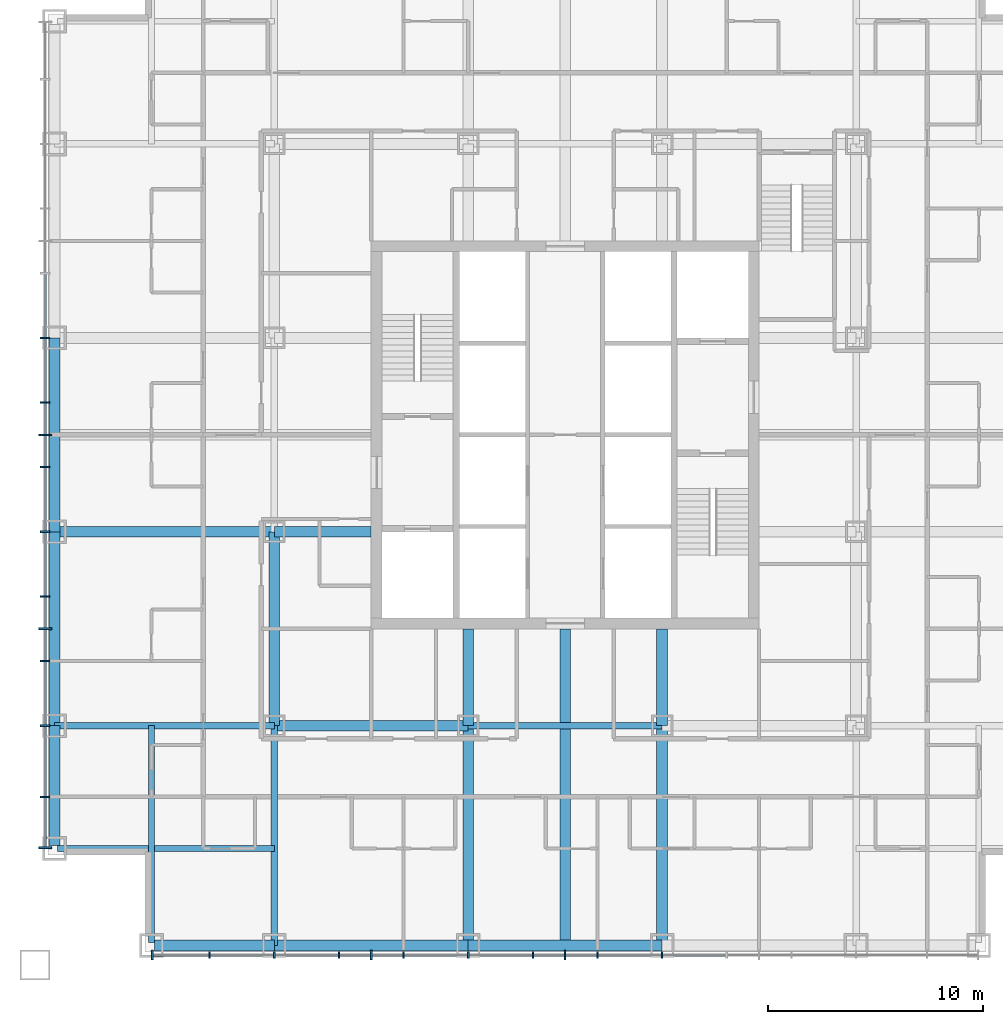
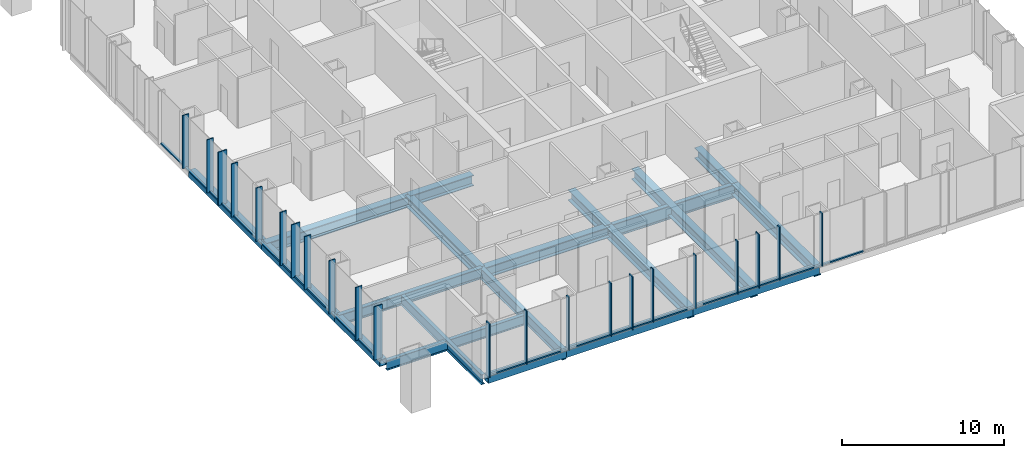
# One storey, part 2 of 12: 44 members, 20 beams, 2 elements without a shape of their own.
"""IFC4 building model written with IfcOpenShell, lengths in metres."""

from ifc_helpers import new_model, si_unit, direction, frame, origin, origin_2d, place, context, subcontext, project, spatial, rectangle, hollow_rectangle, i_section, extrude, material, layer, layer_set, material_profile, profile_set, type_object, element, aggregate, save


model = new_model("IFC4")

# Units and contexts
model_context = context("Model", 3, precision=1e-05, world=origin(), true_north=direction((0.0, 1.0)))
body_context = subcontext(model_context, "Body", "Model", "MODEL_VIEW")
ifc_project = project(units=[si_unit("LENGTHUNIT", "METRE"), si_unit("AREAUNIT", "SQUARE_METRE"), si_unit("VOLUMEUNIT", "CUBIC_METRE"), si_unit("PLANEANGLEUNIT", "RADIAN"), si_unit("MASSUNIT", "GRAM", prefix="KILO")], contexts=[model_context])

# Site, building, storey
site_placement = place(None, origin())
site = spatial("IfcSite", under=ifc_project, at=site_placement, CompositionType="ELEMENT")
building_placement = place(site_placement, origin())
building = spatial("IfcBuilding", under=site, at=building_placement, Name="Malebo Sky Hospital", CompositionType="ELEMENT")
storey_placement = place(building_placement, frame((0.0, 0.0, 136.0)))
storey = spatial("IfcBuildingStorey", under=building, at=storey_placement, Name="L32", CompositionType="ELEMENT", Elevation=136.0)

# Curtain wall, members
ifc_material_1 = material(Name="Anodised aluminium, natural silver", Category="aluminium")
ifc_layer_1 = layer(ifc_material_1, 0.25)
ifc_layer_set_1 = layer_set([ifc_layer_1], Name="WARD CURTAIN WALL EAST AND WEST")
curtain_wall_type_1 = type_object("IfcCurtainWallType", Name="WARD CURTAIN WALL EAST AND WEST", PredefinedType="NOTDEFINED", material=ifc_layer_set_1)
curtain_wall_1_placement = place(storey_placement, origin())
curtain_wall_1 = element("IfcCurtainWall", 1, at=curtain_wall_1_placement, inside=storey, type_object=curtain_wall_type_1, Name="EW curtain wall W", PredefinedType="NOTDEFINED")
ifc_material_profile_1 = material_profile(ifc_material_1, rectangle(XDim=0.14990234375, YDim=0.10009765625, at=origin_2d()), Name="ALUMINIUM TRANSOM 150x100")
ifc_profile_set_1 = profile_set([ifc_material_profile_1], Name="Anodised aluminium, natural silver")
member_type_1 = type_object("IfcMemberType", Name="ALUMINIUM TRANSOM 150x100", PredefinedType="USERDEFINED", material=ifc_profile_set_1)
member_1_placement = place(storey_placement, frame((35.864990234375, 42.875, 0.050048828125), z_axis=(0.0, 1.0, 0.0), x_axis=(-1.0, 0.0, 0.0)))
member_1 = element("IfcMember", 2, at=member_1_placement, type_object=member_type_1, Name="Transom 1", ObjectType="TRANSOM", PredefinedType="USERDEFINED", context=body_context, shape_type="SweptSolid", body=[
    extrude(rectangle(XDim=0.14990234375, YDim=0.10009765625, at=origin_2d()), origin(), (0.0, 0.0, 1.0), 2.28759765625),
])
member_2_placement = place(storey_placement, frame((35.864990234375, 45.237548828125, 0.050048828125), z_axis=(0.0, 1.0, 0.0), x_axis=(-1.0, 0.0, 0.0)))
member_2 = element("IfcMember", 3, at=member_2_placement, type_object=member_type_1, Name="Transom 2", ObjectType="TRANSOM", PredefinedType="USERDEFINED", context=body_context, shape_type="SweptSolid", body=[
    extrude(rectangle(XDim=0.14990234375, YDim=0.10009765625, at=origin_2d()), origin(), (0.0, 0.0, 1.0), 3.224853515625),
])
member_3_placement = place(storey_placement, frame((35.864990234375, 48.53759765625, 0.050048828125), z_axis=(0.0, 1.0, 0.0), x_axis=(-1.0, 0.0, 0.0)))
member_3 = element("IfcMember", 4, at=member_3_placement, type_object=member_type_1, Name="Transom 3", ObjectType="TRANSOM", PredefinedType="USERDEFINED", context=body_context, shape_type="SweptSolid", body=[
    extrude(rectangle(XDim=0.14990234375, YDim=0.10009765625, at=origin_2d()), origin(), (0.0, 0.0, 1.0), 2.9248046875),
])
member_4_placement = place(storey_placement, frame((35.864990234375, 51.53759765625, 0.050048828125), z_axis=(0.0, 1.0, 0.0), x_axis=(-1.0, 0.0, 0.0)))
member_4 = element("IfcMember", 5, at=member_4_placement, type_object=member_type_1, Name="Transom 4", ObjectType="TRANSOM", PredefinedType="USERDEFINED", context=body_context, shape_type="SweptSolid", body=[
    extrude(rectangle(XDim=0.14990234375, YDim=0.10009765625, at=origin_2d()), origin(), (0.0, 0.0, 1.0), 1.4248046875),
])
member_5_placement = place(storey_placement, frame((35.864990234375, 53.03759765625, 0.050048828125), z_axis=(0.0, 1.0, 0.0), x_axis=(-1.0, 0.0, 0.0)))
member_5 = element("IfcMember", 6, at=member_5_placement, type_object=member_type_1, Name="Transom 5", ObjectType="TRANSOM", PredefinedType="USERDEFINED", context=body_context, shape_type="SweptSolid", body=[
    extrude(rectangle(XDim=0.14990234375, YDim=0.10009765625, at=origin_2d()), origin(), (0.0, 0.0, 1.0), 1.4248046875),
])
member_6_placement = place(storey_placement, frame((35.864990234375, 54.53759765625, 0.050048828125), z_axis=(0.0, 1.0, 0.0), x_axis=(-1.0, 0.0, 0.0)))
member_6 = element("IfcMember", 7, at=member_6_placement, type_object=member_type_1, Name="Transom 6", ObjectType="TRANSOM", PredefinedType="USERDEFINED", context=body_context, shape_type="SweptSolid", body=[
    extrude(rectangle(XDim=0.14990234375, YDim=0.10009765625, at=origin_2d()), origin(), (0.0, 0.0, 1.0), 2.9248046875),
])
member_7_placement = place(storey_placement, frame((35.864990234375, 57.53759765625, 0.050048828125), z_axis=(0.0, 1.0, 0.0), x_axis=(-1.0, 0.0, 0.0)))
member_7 = element("IfcMember", 8, at=member_7_placement, type_object=member_type_1, Name="Transom 7", ObjectType="TRANSOM", PredefinedType="USERDEFINED", context=body_context, shape_type="SweptSolid", body=[
    extrude(rectangle(XDim=0.14990234375, YDim=0.10009765625, at=origin_2d()), origin(), (0.0, 0.0, 1.0), 2.9248046875),
])
member_8_placement = place(storey_placement, frame((35.864990234375, 60.53759765625, 0.050048828125), z_axis=(0.0, 1.0, 0.0), x_axis=(-1.0, 0.0, 0.0)))
member_8 = element("IfcMember", 9, at=member_8_placement, type_object=member_type_1, Name="Transom 8", ObjectType="TRANSOM", PredefinedType="USERDEFINED", context=body_context, shape_type="SweptSolid", body=[
    extrude(rectangle(XDim=0.14990234375, YDim=0.10009765625, at=origin_2d()), origin(), (0.0, 0.0, 1.0), 1.4248046875),
])
member_9_placement = place(storey_placement, frame((35.864990234375, 62.03759765625, 0.050048828125), z_axis=(0.0, 1.0, 0.0), x_axis=(-1.0, 0.0, 0.0)))
member_9 = element("IfcMember", 10, at=member_9_placement, type_object=member_type_1, Name="Transom 9", ObjectType="TRANSOM", PredefinedType="USERDEFINED", context=body_context, shape_type="SweptSolid", body=[
    extrude(rectangle(XDim=0.14990234375, YDim=0.10009765625, at=origin_2d()), origin(), (0.0, 0.0, 1.0), 1.4248046875),
])
member_10_placement = place(storey_placement, frame((35.864990234375, 63.53759765625, 0.050048828125), z_axis=(0.0, 1.0, 0.0), x_axis=(-1.0, 0.0, 0.0)))
member_10 = element("IfcMember", 11, at=member_10_placement, type_object=member_type_1, Name="Transom 10", ObjectType="TRANSOM", PredefinedType="USERDEFINED", context=body_context, shape_type="SweptSolid", body=[
    extrude(rectangle(XDim=0.14990234375, YDim=0.10009765625, at=origin_2d()), origin(), (0.0, 0.0, 1.0), 2.9248046875),
])
member_11_placement = place(storey_placement, frame((35.864990234375, 66.53759765625, 0.050048828125), z_axis=(0.0, 1.0, 0.0), x_axis=(-1.0, 0.0, 0.0)))
member_11 = element("IfcMember", 12, at=member_11_placement, type_object=member_type_1, Name="Transom 11", ObjectType="TRANSOM", PredefinedType="USERDEFINED", context=body_context, shape_type="SweptSolid", body=[
    extrude(rectangle(XDim=0.14990234375, YDim=0.10009765625, at=origin_2d()), origin(), (0.0, 0.0, 1.0), 2.9248046875),
])

ifc_layer_2 = layer(ifc_material_1, 0.25)
ifc_layer_set_2 = layer_set([ifc_layer_2], Name="WARD CURTAIN WALL NORTH AND SOUTH")
curtain_wall_type_2 = type_object("IfcCurtainWallType", Name="WARD CURTAIN WALL NORTH AND SOUTH", PredefinedType="NOTDEFINED", material=ifc_layer_set_2)
curtain_wall_2_placement = place(storey_placement, origin())
curtain_wall_2 = element("IfcCurtainWall", 13, at=curtain_wall_2_placement, inside=storey, type_object=curtain_wall_type_2, Name="NS curtain wall S", PredefinedType="NOTDEFINED")
member_12_placement = place(storey_placement, frame((67.46240234375, 37.864990234375, 0.050048828125), z_axis=(-1.0, 0.0, 0.0), x_axis=(0.0, -1.0, 0.0)))
member_12 = element("IfcMember", 14, at=member_12_placement, type_object=member_type_1, Name="Transom 6", ObjectType="TRANSOM", PredefinedType="USERDEFINED", context=body_context, shape_type="SweptSolid", body=[
    extrude(rectangle(XDim=0.14990234375, YDim=0.10009765625, at=origin_2d()), origin(), (0.0, 0.0, 1.0), 2.9248046875),
])
member_13_placement = place(storey_placement, frame((64.46240234375, 37.864990234375, 0.050048828125), z_axis=(-1.0, 0.0, 0.0), x_axis=(0.0, -1.0, 0.0)))
member_13 = element("IfcMember", 15, at=member_13_placement, type_object=member_type_1, Name="Transom 7", ObjectType="TRANSOM", PredefinedType="USERDEFINED", context=body_context, shape_type="SweptSolid", body=[
    extrude(rectangle(XDim=0.14990234375, YDim=0.10009765625, at=origin_2d()), origin(), (0.0, 0.0, 1.0), 2.9248046875),
])
member_14_placement = place(storey_placement, frame((61.46240234375, 37.864990234375, 0.050048828125), z_axis=(-1.0, 0.0, 0.0), x_axis=(0.0, -1.0, 0.0)))
member_14 = element("IfcMember", 16, at=member_14_placement, type_object=member_type_1, Name="Transom 8", ObjectType="TRANSOM", PredefinedType="USERDEFINED", context=body_context, shape_type="SweptSolid", body=[
    extrude(rectangle(XDim=0.14990234375, YDim=0.10009765625, at=origin_2d()), origin(), (0.0, 0.0, 1.0), 1.4248046875),
])
member_15_placement = place(storey_placement, frame((59.96240234375, 37.864990234375, 0.050048828125), z_axis=(-1.0, 0.0, 0.0), x_axis=(0.0, -1.0, 0.0)))
member_15 = element("IfcMember", 17, at=member_15_placement, type_object=member_type_1, Name="Transom 9", ObjectType="TRANSOM", PredefinedType="USERDEFINED", context=body_context, shape_type="SweptSolid", body=[
    extrude(rectangle(XDim=0.14990234375, YDim=0.10009765625, at=origin_2d()), origin(), (0.0, 0.0, 1.0), 1.4248046875),
])
member_16_placement = place(storey_placement, frame((58.46240234375, 37.864990234375, 0.050048828125), z_axis=(-1.0, 0.0, 0.0), x_axis=(0.0, -1.0, 0.0)))
member_16 = element("IfcMember", 18, at=member_16_placement, type_object=member_type_1, Name="Transom 10", ObjectType="TRANSOM", PredefinedType="USERDEFINED", context=body_context, shape_type="SweptSolid", body=[
    extrude(rectangle(XDim=0.14990234375, YDim=0.10009765625, at=origin_2d()), origin(), (0.0, 0.0, 1.0), 2.9248046875),
])
member_17_placement = place(storey_placement, frame((55.46240234375, 37.864990234375, 0.050048828125), z_axis=(-1.0, 0.0, 0.0), x_axis=(0.0, -1.0, 0.0)))
member_17 = element("IfcMember", 19, at=member_17_placement, type_object=member_type_1, Name="Transom 11", ObjectType="TRANSOM", PredefinedType="USERDEFINED", context=body_context, shape_type="SweptSolid", body=[
    extrude(rectangle(XDim=0.14990234375, YDim=0.10009765625, at=origin_2d()), origin(), (0.0, 0.0, 1.0), 2.9248046875),
])
member_18_placement = place(storey_placement, frame((52.46240234375, 37.864990234375, 0.050048828125), z_axis=(-1.0, 0.0, 0.0), x_axis=(0.0, -1.0, 0.0)))
member_18 = element("IfcMember", 20, at=member_18_placement, type_object=member_type_1, Name="Transom 12", ObjectType="TRANSOM", PredefinedType="USERDEFINED", context=body_context, shape_type="SweptSolid", body=[
    extrude(rectangle(XDim=0.14990234375, YDim=0.10009765625, at=origin_2d()), origin(), (0.0, 0.0, 1.0), 1.4248046875),
])
member_19_placement = place(storey_placement, frame((50.96240234375, 37.864990234375, 0.050048828125), z_axis=(-1.0, 0.0, 0.0), x_axis=(0.0, -1.0, 0.0)))
member_19 = element("IfcMember", 21, at=member_19_placement, type_object=member_type_1, Name="Transom 13", ObjectType="TRANSOM", PredefinedType="USERDEFINED", context=body_context, shape_type="SweptSolid", body=[
    extrude(rectangle(XDim=0.14990234375, YDim=0.10009765625, at=origin_2d()), origin(), (0.0, 0.0, 1.0), 1.4248046875),
])
member_20_placement = place(storey_placement, frame((49.46240234375, 37.864990234375, 0.050048828125), z_axis=(-1.0, 0.0, 0.0), x_axis=(0.0, -1.0, 0.0)))
member_20 = element("IfcMember", 22, at=member_20_placement, type_object=member_type_1, Name="Transom 14", ObjectType="TRANSOM", PredefinedType="USERDEFINED", context=body_context, shape_type="SweptSolid", body=[
    extrude(rectangle(XDim=0.14990234375, YDim=0.10009765625, at=origin_2d()), origin(), (0.0, 0.0, 1.0), 2.9248046875),
])
member_21_placement = place(storey_placement, frame((46.46240234375, 37.864990234375, 0.050048828125), z_axis=(-1.0, 0.0, 0.0), x_axis=(0.0, -1.0, 0.0)))
member_21 = element("IfcMember", 23, at=member_21_placement, type_object=member_type_1, Name="Transom 15", ObjectType="TRANSOM", PredefinedType="USERDEFINED", context=body_context, shape_type="SweptSolid", body=[
    extrude(rectangle(XDim=0.14990234375, YDim=0.10009765625, at=origin_2d()), origin(), (0.0, 0.0, 1.0), 2.9248046875),
])
member_22_placement = place(storey_placement, frame((43.46240234375, 37.864990234375, 0.050048828125), z_axis=(-1.0, 0.0, 0.0), x_axis=(0.0, -1.0, 0.0)))
member_22 = element("IfcMember", 24, at=member_22_placement, type_object=member_type_1, Name="Transom 16", ObjectType="TRANSOM", PredefinedType="USERDEFINED", context=body_context, shape_type="SweptSolid", body=[
    extrude(rectangle(XDim=0.14990234375, YDim=0.10009765625, at=origin_2d()), origin(), (0.0, 0.0, 1.0), 2.58740234375),
])
ifc_material_profile_2 = material_profile(ifc_material_1, rectangle(XDim=0.074951171875, YDim=0.300048828125, at=origin_2d()), Name="CW1 ALUMINIUM FIN MULLION 75x300")
ifc_profile_set_2 = profile_set([ifc_material_profile_2], Name="Anodised aluminium, natural silver")
member_type_2 = type_object("IfcMemberType", Name="CW1 ALUMINIUM FIN MULLION 75x300", PredefinedType="MULLION", material=ifc_profile_set_2)
member_23_placement = place(storey_placement, frame((64.5, 37.864990234375, 0.0), z_axis=(0.0, 0.0, 1.0), x_axis=(-1.0, 0.0, 0.0)))
member_23 = element("IfcMember", 25, at=member_23_placement, type_object=member_type_2, Name="Fin mullion 7", PredefinedType="MULLION", context=body_context, shape_type="SweptSolid", body=[
    extrude(rectangle(XDim=0.074951171875, YDim=0.300048828125, at=origin_2d()), origin(), (0.0, 0.0, 1.0), 4.0),
])
member_24_placement = place(storey_placement, frame((61.5, 37.864990234375, 0.0), z_axis=(0.0, 0.0, 1.0), x_axis=(-1.0, 0.0, 0.0)))
member_24 = element("IfcMember", 26, at=member_24_placement, type_object=member_type_2, Name="Fin mullion 8", PredefinedType="MULLION", context=body_context, shape_type="SweptSolid", body=[
    extrude(rectangle(XDim=0.074951171875, YDim=0.300048828125, at=origin_2d()), origin(), (0.0, 0.0, 1.0), 4.0),
])
member_25_placement = place(storey_placement, frame((58.5, 37.864990234375, 0.0), z_axis=(0.0, 0.0, 1.0), x_axis=(-1.0, 0.0, 0.0)))
member_25 = element("IfcMember", 27, at=member_25_placement, type_object=member_type_2, Name="Fin mullion 10", PredefinedType="MULLION", context=body_context, shape_type="SweptSolid", body=[
    extrude(rectangle(XDim=0.074951171875, YDim=0.300048828125, at=origin_2d()), origin(), (0.0, 0.0, 1.0), 4.0),
])
member_26_placement = place(storey_placement, frame((55.5, 37.864990234375, 0.0), z_axis=(0.0, 0.0, 1.0), x_axis=(-1.0, 0.0, 0.0)))
member_26 = element("IfcMember", 28, at=member_26_placement, type_object=member_type_2, Name="Fin mullion 11", PredefinedType="MULLION", context=body_context, shape_type="SweptSolid", body=[
    extrude(rectangle(XDim=0.074951171875, YDim=0.300048828125, at=origin_2d()), origin(), (0.0, 0.0, 1.0), 4.0),
])
member_27_placement = place(storey_placement, frame((52.5, 37.864990234375, 0.0), z_axis=(0.0, 0.0, 1.0), x_axis=(-1.0, 0.0, 0.0)))
member_27 = element("IfcMember", 29, at=member_27_placement, type_object=member_type_2, Name="Fin mullion 12", PredefinedType="MULLION", context=body_context, shape_type="SweptSolid", body=[
    extrude(rectangle(XDim=0.074951171875, YDim=0.300048828125, at=origin_2d()), origin(), (0.0, 0.0, 1.0), 4.0),
])
member_28_placement = place(storey_placement, frame((49.5, 37.864990234375, 0.0), z_axis=(0.0, 0.0, 1.0), x_axis=(-1.0, 0.0, 0.0)))
member_28 = element("IfcMember", 30, at=member_28_placement, type_object=member_type_2, Name="Fin mullion 14", PredefinedType="MULLION", context=body_context, shape_type="SweptSolid", body=[
    extrude(rectangle(XDim=0.074951171875, YDim=0.300048828125, at=origin_2d()), origin(), (0.0, 0.0, 1.0), 4.0),
])
member_29_placement = place(storey_placement, frame((46.5, 37.864990234375, 0.0), z_axis=(0.0, 0.0, 1.0), x_axis=(-1.0, 0.0, 0.0)))
member_29 = element("IfcMember", 31, at=member_29_placement, type_object=member_type_2, Name="Fin mullion 15", PredefinedType="MULLION", context=body_context, shape_type="SweptSolid", body=[
    extrude(rectangle(XDim=0.074951171875, YDim=0.300048828125, at=origin_2d()), origin(), (0.0, 0.0, 1.0), 4.0),
])
member_30_placement = place(storey_placement, frame((43.5, 37.864990234375, 0.0), z_axis=(0.0, 0.0, 1.0), x_axis=(-1.0, 0.0, 0.0)))
member_30 = element("IfcMember", 32, at=member_30_placement, type_object=member_type_2, Name="Fin mullion 16", PredefinedType="MULLION", context=body_context, shape_type="SweptSolid", body=[
    extrude(rectangle(XDim=0.074951171875, YDim=0.300048828125, at=origin_2d()), origin(), (0.0, 0.0, 1.0), 4.0),
])
ifc_material_profile_3 = material_profile(ifc_material_1, rectangle(XDim=0.074951171875, YDim=0.449951171875, at=origin_2d()), Name="CW1 ALUMINIUM FIN MULLION 75x450")
ifc_profile_set_3 = profile_set([ifc_material_profile_3], Name="Anodised aluminium, natural silver")
member_type_3 = type_object("IfcMemberType", Name="CW1 ALUMINIUM FIN MULLION 75x450", PredefinedType="MULLION", material=ifc_profile_set_3)
member_31_placement = place(storey_placement, frame((60.0, 37.864990234375, 0.0), z_axis=(0.0, 0.0, 1.0), x_axis=(-1.0, 0.0, 0.0)))
member_31 = element("IfcMember", 33, at=member_31_placement, type_object=member_type_3, Name="Fin mullion 9", PredefinedType="MULLION", context=body_context, shape_type="SweptSolid", body=[
    extrude(rectangle(XDim=0.074951171875, YDim=0.449951171875, at=origin_2d()), origin(), (0.0, 0.0, 1.0), 4.0),
])
member_32_placement = place(storey_placement, frame((51.0, 37.864990234375, 0.0), z_axis=(0.0, 0.0, 1.0), x_axis=(-1.0, 0.0, 0.0)))
member_32 = element("IfcMember", 34, at=member_32_placement, type_object=member_type_3, Name="Fin mullion 13", PredefinedType="MULLION", context=body_context, shape_type="SweptSolid", body=[
    extrude(rectangle(XDim=0.074951171875, YDim=0.449951171875, at=origin_2d()), origin(), (0.0, 0.0, 1.0), 4.0),
])
member_33_placement = place(storey_placement, frame((40.83740234375, 37.864990234375, 0.0), z_axis=(0.0, 0.0, 1.0), x_axis=(-1.0, 0.0, 0.0)))
member_33 = element("IfcMember", 35, at=member_33_placement, type_object=member_type_3, Name="Fin mullion 17", PredefinedType="MULLION", context=body_context, shape_type="SweptSolid", body=[
    extrude(rectangle(XDim=0.074951171875, YDim=0.449951171875, at=origin_2d()), origin(), (0.0, 0.0, 1.0), 4.0),
])
aggregate(curtain_wall_2, [member_23, member_24, member_31, member_25, member_26, member_27, member_32, member_28, member_29, member_30, member_33, member_12, member_13, member_14, member_15, member_16, member_17, member_18, member_19, member_20, member_21, member_22])

# Member
ifc_material_profile_4 = material_profile(ifc_material_1, rectangle(XDim=0.074951171875, YDim=0.449951171875, at=origin_2d()), Name="CW2 ALUMINIUM FIN MULLION 75x450")
ifc_profile_set_4 = profile_set([ifc_material_profile_4], Name="Anodised aluminium, natural silver")
member_type_4 = type_object("IfcMemberType", Name="CW2 ALUMINIUM FIN MULLION 75x450", PredefinedType="MULLION", material=ifc_profile_set_4)
member_34_placement = place(storey_placement, frame((35.864990234375, 45.199951171875, 0.0), z_axis=(0.0, 0.0, 1.0), x_axis=(0.0, 1.0, 0.0)))
member_34 = element("IfcMember", 36, at=member_34_placement, type_object=member_type_4, Name="Fin mullion 2", PredefinedType="MULLION", context=body_context, shape_type="SweptSolid", body=[
    extrude(rectangle(XDim=0.074951171875, YDim=0.449951171875, at=origin_2d()), origin(), (0.0, 0.0, 1.0), 4.0),
])

member_35_placement = place(storey_placement, frame((35.864990234375, 48.5, 0.0), z_axis=(0.0, 0.0, 1.0), x_axis=(0.0, 1.0, 0.0)))
member_35 = element("IfcMember", 37, at=member_35_placement, type_object=member_type_4, Name="Fin mullion 3", PredefinedType="MULLION", context=body_context, shape_type="SweptSolid", body=[
    extrude(rectangle(XDim=0.074951171875, YDim=0.449951171875, at=origin_2d()), origin(), (0.0, 0.0, 1.0), 4.0),
])

member_36_placement = place(storey_placement, frame((35.864990234375, 51.5, 0.0), z_axis=(0.0, 0.0, 1.0), x_axis=(0.0, 1.0, 0.0)))
member_36 = element("IfcMember", 38, at=member_36_placement, type_object=member_type_4, Name="Fin mullion 4", PredefinedType="MULLION", context=body_context, shape_type="SweptSolid", body=[
    extrude(rectangle(XDim=0.074951171875, YDim=0.449951171875, at=origin_2d()), origin(), (0.0, 0.0, 1.0), 4.0),
])

member_37_placement = place(storey_placement, frame((35.864990234375, 54.5, 0.0), z_axis=(0.0, 0.0, 1.0), x_axis=(0.0, 1.0, 0.0)))
member_37 = element("IfcMember", 39, at=member_37_placement, type_object=member_type_4, Name="Fin mullion 6", PredefinedType="MULLION", context=body_context, shape_type="SweptSolid", body=[
    extrude(rectangle(XDim=0.074951171875, YDim=0.449951171875, at=origin_2d()), origin(), (0.0, 0.0, 1.0), 4.0),
])

member_38_placement = place(storey_placement, frame((35.864990234375, 57.5, 0.0), z_axis=(0.0, 0.0, 1.0), x_axis=(0.0, 1.0, 0.0)))
member_38 = element("IfcMember", 40, at=member_38_placement, type_object=member_type_4, Name="Fin mullion 7", PredefinedType="MULLION", context=body_context, shape_type="SweptSolid", body=[
    extrude(rectangle(XDim=0.074951171875, YDim=0.449951171875, at=origin_2d()), origin(), (0.0, 0.0, 1.0), 4.0),
])

member_39_placement = place(storey_placement, frame((35.864990234375, 60.5, 0.0), z_axis=(0.0, 0.0, 1.0), x_axis=(0.0, 1.0, 0.0)))
member_39 = element("IfcMember", 41, at=member_39_placement, type_object=member_type_4, Name="Fin mullion 8", PredefinedType="MULLION", context=body_context, shape_type="SweptSolid", body=[
    extrude(rectangle(XDim=0.074951171875, YDim=0.449951171875, at=origin_2d()), origin(), (0.0, 0.0, 1.0), 4.0),
])

member_40_placement = place(storey_placement, frame((35.864990234375, 63.5, 0.0), z_axis=(0.0, 0.0, 1.0), x_axis=(0.0, 1.0, 0.0)))
member_40 = element("IfcMember", 42, at=member_40_placement, type_object=member_type_4, Name="Fin mullion 10", PredefinedType="MULLION", context=body_context, shape_type="SweptSolid", body=[
    extrude(rectangle(XDim=0.074951171875, YDim=0.449951171875, at=origin_2d()), origin(), (0.0, 0.0, 1.0), 4.0),
])

member_41_placement = place(storey_placement, frame((35.864990234375, 66.5, 0.0), z_axis=(0.0, 0.0, 1.0), x_axis=(0.0, 1.0, 0.0)))
member_41 = element("IfcMember", 43, at=member_41_placement, type_object=member_type_4, Name="Fin mullion 11", PredefinedType="MULLION", context=body_context, shape_type="SweptSolid", body=[
    extrude(rectangle(XDim=0.074951171875, YDim=0.449951171875, at=origin_2d()), origin(), (0.0, 0.0, 1.0), 4.0),
])

ifc_material_profile_5 = material_profile(ifc_material_1, rectangle(XDim=0.074951171875, YDim=0.60009765625, at=origin_2d()), Name="CW2 ALUMINIUM FIN MULLION 75x600")
ifc_profile_set_5 = profile_set([ifc_material_profile_5], Name="Anodised aluminium, natural silver")
member_type_5 = type_object("IfcMemberType", Name="CW2 ALUMINIUM FIN MULLION 75x600", PredefinedType="MULLION", material=ifc_profile_set_5)
member_42_placement = place(storey_placement, frame((35.864990234375, 42.83740234375, 0.0), z_axis=(0.0, 0.0, 1.0), x_axis=(0.0, 1.0, 0.0)))
member_42 = element("IfcMember", 44, at=member_42_placement, type_object=member_type_5, Name="Fin mullion 1", PredefinedType="MULLION", context=body_context, shape_type="SweptSolid", body=[
    extrude(rectangle(XDim=0.074951171875, YDim=0.60009765625, at=origin_2d()), origin(), (0.0, 0.0, 1.0), 4.0),
])

member_43_placement = place(storey_placement, frame((35.864990234375, 53.0, 0.0), z_axis=(0.0, 0.0, 1.0), x_axis=(0.0, 1.0, 0.0)))
member_43 = element("IfcMember", 45, at=member_43_placement, type_object=member_type_5, Name="Fin mullion 5", PredefinedType="MULLION", context=body_context, shape_type="SweptSolid", body=[
    extrude(rectangle(XDim=0.074951171875, YDim=0.60009765625, at=origin_2d()), origin(), (0.0, 0.0, 1.0), 4.0),
])

member_44_placement = place(storey_placement, frame((35.864990234375, 62.0, 0.0), z_axis=(0.0, 0.0, 1.0), x_axis=(0.0, 1.0, 0.0)))
member_44 = element("IfcMember", 46, at=member_44_placement, type_object=member_type_5, Name="Fin mullion 9", PredefinedType="MULLION", context=body_context, shape_type="SweptSolid", body=[
    extrude(rectangle(XDim=0.074951171875, YDim=0.60009765625, at=origin_2d()), origin(), (0.0, 0.0, 1.0), 4.0),
])

aggregate(curtain_wall_1, [member_42, member_34, member_35, member_36, member_43, member_37, member_38, member_39, member_44, member_40, member_41, member_1, member_2, member_3, member_4, member_5, member_6, member_7, member_8, member_9, member_10, member_11])

# Beams
ifc_material_2 = material(Name="Steel S460", Category="steel")
ifc_material_profile_6 = material_profile(ifc_material_2, hollow_rectangle(XDim=0.5, YDim=0.5, WallThickness=0.030029296875, at=origin_2d()), Name="BOX 500x500x30")
ifc_profile_set_6 = profile_set([ifc_material_profile_6], Name="Steel S460")
beam_type_1 = type_object("IfcBeamType", Name="EDGE BEAM BOX 500x500x30", PredefinedType="BEAM", material=ifc_profile_set_6)
beam_1_placement = place(storey_placement, frame((36.300048828125, 42.949951171875, -0.5), z_axis=(0.0, 1.0, 0.0), x_axis=(-1.0, 0.0, 0.0)))
element("IfcBeam", 47, at=beam_1_placement, inside=storey, type_object=beam_type_1, Name="Beam 000 L32", PredefinedType="BEAM", context=body_context, shape_type="SweptSolid", body=[
    extrude(hollow_rectangle(XDim=0.5, YDim=0.5, WallThickness=0.030029296875, at=origin_2d()), origin(), (0.0, 0.0, 1.0), 5.550048828125),
])
for number, where, z_axis, x_axis, name in (
    (48, (36.300048828125, 48.5, -0.5), (0.0, 1.0, 0.0), (-1.0, 0.0, 0.0), "Beam 001 L32"),
    (49, (36.300048828125, 57.5, -0.5), (0.0, 1.0, 0.0), (-1.0, 0.0, 0.0), "Beam 002 L32"),
):
    element("IfcBeam", number, at=place(storey_placement, frame(where, z_axis=z_axis, x_axis=x_axis)), inside=storey, type_object=beam_type_1, Name=name, PredefinedType="BEAM", context=body_context, shape_type="SweptSolid", body=[
        extrude(hollow_rectangle(XDim=0.5, YDim=0.5, WallThickness=0.030029296875, at=origin_2d()), origin(), (0.0, 0.0, 1.0), 9.0),
    ])
beam_2_placement = place(storey_placement, frame((40.949951171875, 38.300048828125, -0.5), z_axis=(1.0, 0.0, 0.0), x_axis=(0.0, 1.0, 0.0)))
element("IfcBeam", 50, at=beam_2_placement, inside=storey, type_object=beam_type_1, Name="Beam 034 L32", PredefinedType="BEAM", context=body_context, shape_type="SweptSolid", body=[
    extrude(hollow_rectangle(XDim=0.5, YDim=0.5, WallThickness=0.030029296875, at=origin_2d()), origin(), (0.0, 0.0, 1.0), 5.550048828125),
])
for number, where, z_axis, x_axis, name in (
    (51, (46.5, 38.300048828125, -0.5), (1.0, 0.0, 0.0), (0.0, 1.0, 0.0), "Beam 035 L32"),
    (52, (55.5, 38.300048828125, -0.5), (1.0, 0.0, 0.0), (0.0, 1.0, 0.0), "Beam 036 L32"),
):
    element("IfcBeam", number, at=place(storey_placement, frame(where, z_axis=z_axis, x_axis=x_axis)), inside=storey, type_object=beam_type_1, Name=name, PredefinedType="BEAM", context=body_context, shape_type="SweptSolid", body=[
        extrude(hollow_rectangle(XDim=0.5, YDim=0.5, WallThickness=0.030029296875, at=origin_2d()), origin(), (0.0, 0.0, 1.0), 9.0),
    ])
ifc_material_3 = material(Name="Steel S355", Category="steel")
ifc_material_profile_7 = material_profile(ifc_material_3, i_section(OverallWidth=0.262939453125, OverallDepth=0.7529296875, WebThickness=0.011474609375, FlangeThickness=0.01708984375, FilletRadius=0.01708984375, at=origin_2d()), Name="IPE 750x137")
ifc_profile_set_7 = profile_set([ifc_material_profile_7], Name="Steel S355")
beam_type_2 = type_object("IfcBeamType", Name="FLOOR BEAM IPE 750x137", PredefinedType="BEAM", material=ifc_profile_set_7)
for number, where, z_axis, x_axis, name in (
    (53, (40.800048828125, 38.449951171875, -0.62646484375), (0.0, 1.0, 0.0), (-1.0, 0.0, 0.0), "Beam 005 L32"),
    (54, (36.449951171875, 42.800048828125, -0.62646484375), (1.0, 0.0, 0.0), (0.0, 1.0, 0.0), "Beam 039 L32"),
):
    element("IfcBeam", number, at=place(storey_placement, frame(where, z_axis=z_axis, x_axis=x_axis)), inside=storey, type_object=beam_type_2, Name=name, PredefinedType="BEAM", context=body_context, shape_type="SweptSolid", body=[
        extrude(i_section(OverallWidth=0.262939453125, OverallDepth=0.7529296875, WebThickness=0.011474609375, FlangeThickness=0.01708984375, FilletRadius=0.01708984375, at=origin_2d()), origin(), (0.0, 0.0, 1.0), 10.050048828125),
    ])
ifc_material_profile_8 = material_profile(ifc_material_3, i_section(OverallWidth=0.5, OverallDepth=0.800048828125, WebThickness=0.030029296875, FlangeThickness=0.050048828125, at=origin_2d()), Name="PG 800x500x30x50")
ifc_profile_set_8 = profile_set([ifc_material_profile_8], Name="Steel S355")
beam_type_3 = type_object("IfcBeamType", Name="FLOOR BEAM PG 800x500x30x50", PredefinedType="BEAM", material=ifc_profile_set_8)
beam_3_placement = place(storey_placement, frame((46.5, 48.5, -0.64990234375), z_axis=(0.0, 1.0, 0.0), x_axis=(-1.0, 0.0, 0.0)))
element("IfcBeam", 55, at=beam_3_placement, inside=storey, type_object=beam_type_3, Name="Beam 008 L32", PredefinedType="BEAM", context=body_context, shape_type="SweptSolid", body=[
    extrude(i_section(OverallWidth=0.5, OverallDepth=0.800048828125, WebThickness=0.030029296875, FlangeThickness=0.050048828125, at=origin_2d()), origin(), (0.0, 0.0, 1.0), 9.0),
])
beam_4_placement = place(storey_placement, frame((55.5, 38.300048828125, -0.64990234375), z_axis=(0.0, 1.0, 0.0), x_axis=(-1.0, 0.0, 0.0)))
element("IfcBeam", 56, at=beam_4_placement, inside=storey, type_object=beam_type_3, Name="Beam 012 L32", PredefinedType="BEAM", context=body_context, shape_type="SweptSolid", body=[
    extrude(i_section(OverallWidth=0.5, OverallDepth=0.800048828125, WebThickness=0.030029296875, FlangeThickness=0.050048828125, at=origin_2d()), origin(), (0.0, 0.0, 1.0), 10.199951171875),
])
beam_5_placement = place(storey_placement, frame((55.5, 48.5, -0.64990234375), z_axis=(0.0, 1.0, 0.0), x_axis=(-1.0, 0.0, 0.0)))
element("IfcBeam", 57, at=beam_5_placement, inside=storey, type_object=beam_type_3, Name="Beam 013 L32", PredefinedType="BEAM", context=body_context, shape_type="SweptSolid", body=[
    extrude(i_section(OverallWidth=0.5, OverallDepth=0.800048828125, WebThickness=0.030029296875, FlangeThickness=0.050048828125, at=origin_2d()), origin(), (0.0, 0.0, 1.0), 4.5),
])
beam_6_placement = place(storey_placement, frame((60.0, 38.300048828125, -0.64990234375), z_axis=(0.0, 1.0, 0.0), x_axis=(-1.0, 0.0, 0.0)))
element("IfcBeam", 58, at=beam_6_placement, inside=storey, type_object=beam_type_3, Name="Beam 016 L32", PredefinedType="BEAM", context=body_context, shape_type="SweptSolid", body=[
    extrude(i_section(OverallWidth=0.5, OverallDepth=0.800048828125, WebThickness=0.030029296875, FlangeThickness=0.050048828125, at=origin_2d()), origin(), (0.0, 0.0, 1.0), 14.699951171875),
])
beam_7_placement = place(storey_placement, frame((64.5, 38.300048828125, -0.64990234375), z_axis=(0.0, 1.0, 0.0), x_axis=(-1.0, 0.0, 0.0)))
element("IfcBeam", 59, at=beam_7_placement, inside=storey, type_object=beam_type_3, Name="Beam 018 L32", PredefinedType="BEAM", context=body_context, shape_type="SweptSolid", body=[
    extrude(i_section(OverallWidth=0.5, OverallDepth=0.800048828125, WebThickness=0.030029296875, FlangeThickness=0.050048828125, at=origin_2d()), origin(), (0.0, 0.0, 1.0), 10.199951171875),
])
beam_8_placement = place(storey_placement, frame((64.5, 48.5, -0.64990234375), z_axis=(0.0, 1.0, 0.0), x_axis=(-1.0, 0.0, 0.0)))
element("IfcBeam", 60, at=beam_8_placement, inside=storey, type_object=beam_type_3, Name="Beam 019 L32", PredefinedType="BEAM", context=body_context, shape_type="SweptSolid", body=[
    extrude(i_section(OverallWidth=0.5, OverallDepth=0.800048828125, WebThickness=0.030029296875, FlangeThickness=0.050048828125, at=origin_2d()), origin(), (0.0, 0.0, 1.0), 4.5),
])
beam_9_placement = place(storey_placement, frame((46.5, 48.5, -0.64990234375), z_axis=(1.0, 0.0, 0.0), x_axis=(0.0, 1.0, 0.0)))
element("IfcBeam", 61, at=beam_9_placement, inside=storey, type_object=beam_type_3, Name="Beam 042 L32", PredefinedType="BEAM", context=body_context, shape_type="SweptSolid", body=[
    extrude(i_section(OverallWidth=0.5, OverallDepth=0.800048828125, WebThickness=0.030029296875, FlangeThickness=0.050048828125, at=origin_2d()), origin(), (0.0, 0.0, 1.0), 9.0),
])
beam_10_placement = place(storey_placement, frame((36.300048828125, 57.5, -0.64990234375), z_axis=(1.0, 0.0, 0.0), x_axis=(0.0, 1.0, 0.0)))
element("IfcBeam", 62, at=beam_10_placement, inside=storey, type_object=beam_type_3, Name="Beam 046 L32", PredefinedType="BEAM", context=body_context, shape_type="SweptSolid", body=[
    extrude(i_section(OverallWidth=0.5, OverallDepth=0.800048828125, WebThickness=0.030029296875, FlangeThickness=0.050048828125, at=origin_2d()), origin(), (0.0, 0.0, 1.0), 10.199951171875),
])
beam_11_placement = place(storey_placement, frame((46.5, 57.5, -0.64990234375), z_axis=(1.0, 0.0, 0.0), x_axis=(0.0, 1.0, 0.0)))
element("IfcBeam", 63, at=beam_11_placement, inside=storey, type_object=beam_type_3, Name="Beam 047 L32", PredefinedType="BEAM", context=body_context, shape_type="SweptSolid", body=[
    extrude(i_section(OverallWidth=0.5, OverallDepth=0.800048828125, WebThickness=0.030029296875, FlangeThickness=0.050048828125, at=origin_2d()), origin(), (0.0, 0.0, 1.0), 4.5),
])
ifc_material_profile_9 = material_profile(ifc_material_3, i_section(OverallWidth=0.300048828125, OverallDepth=0.800048828125, WebThickness=0.017578125, FlangeThickness=0.032958984375, FilletRadius=0.030029296875, at=origin_2d()), Name="HEB 800")
ifc_profile_set_9 = profile_set([ifc_material_profile_9], Name="Steel S355")
beam_type_4 = type_object("IfcBeamType", Name="FLOOR GIRDER HEB 800", PredefinedType="BEAM", material=ifc_profile_set_9)
for number, where, z_axis, x_axis, name in (
    (64, (46.5, 38.300048828125, -0.64990234375), (0.0, 1.0, 0.0), (-1.0, 0.0, 0.0), "Beam 007 L32"),
    (65, (36.300048828125, 48.5, -0.64990234375), (1.0, 0.0, 0.0), (0.0, 1.0, 0.0), "Beam 041 L32"),
):
    element("IfcBeam", number, at=place(storey_placement, frame(where, z_axis=z_axis, x_axis=x_axis)), inside=storey, type_object=beam_type_4, Name=name, PredefinedType="BEAM", context=body_context, shape_type="SweptSolid", body=[
        extrude(i_section(OverallWidth=0.300048828125, OverallDepth=0.800048828125, WebThickness=0.017578125, FlangeThickness=0.032958984375, FilletRadius=0.030029296875, at=origin_2d()), origin(), (0.0, 0.0, 1.0), 10.199951171875),
    ])
ifc_material_profile_10 = material_profile(ifc_material_3, i_section(OverallWidth=0.300048828125, OverallDepth=1.0, WebThickness=0.01904296875, FlangeThickness=0.035888671875, FilletRadius=0.030029296875, at=origin_2d()), Name="HEB 1000")
ifc_profile_set_10 = profile_set([ifc_material_profile_10], Name="Steel S355")
beam_type_5 = type_object("IfcBeamType", Name="RING GIRDER HEB 1000", PredefinedType="BEAM", material=ifc_profile_set_10)
beam_12_placement = place(storey_placement, frame((55.5, 48.5, -0.75), z_axis=(1.0, 0.0, 0.0), x_axis=(0.0, 1.0, 0.0)))
element("IfcBeam", 66, at=beam_12_placement, inside=storey, type_object=beam_type_5, Name="Beam 043 L32", PredefinedType="BEAM", context=body_context, shape_type="SweptSolid", body=[
    extrude(i_section(OverallWidth=0.300048828125, OverallDepth=1.0, WebThickness=0.01904296875, FlangeThickness=0.035888671875, FilletRadius=0.030029296875, at=origin_2d()), origin(), (0.0, 0.0, 1.0), 9.0),
])

save(model, "model.ifc")
